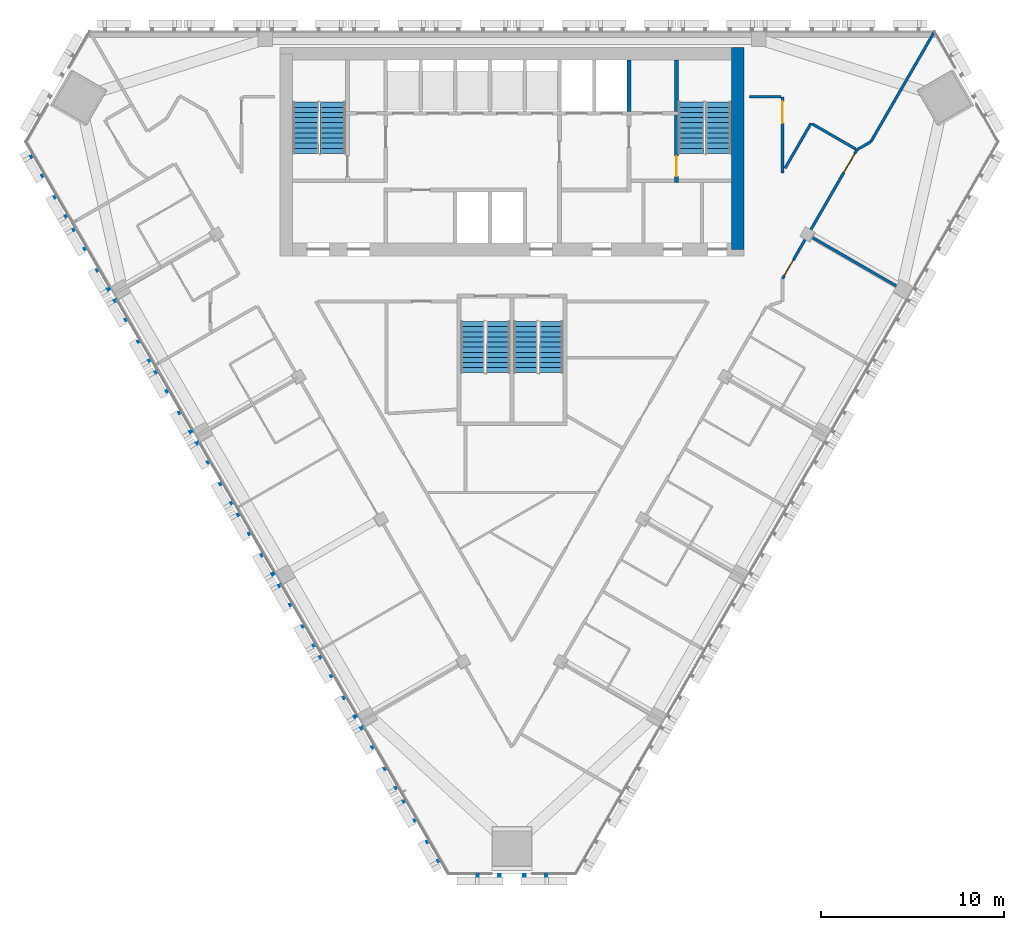
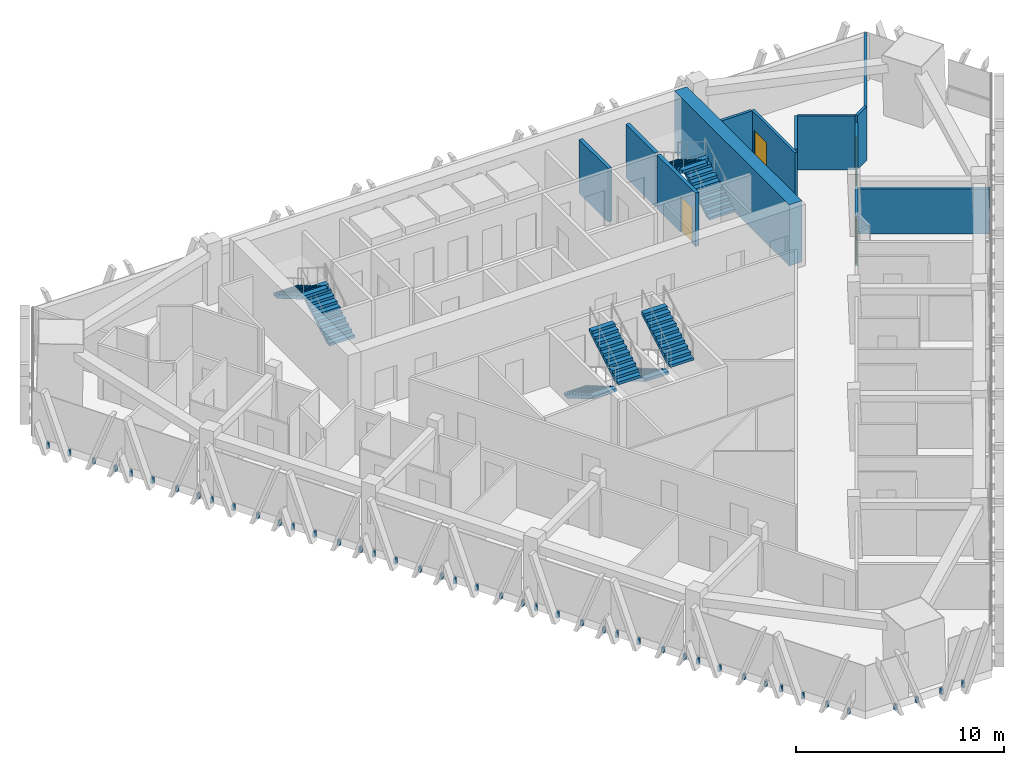
# One storey, part 12 of 16: 12 walls, 8 stair flights, 4 doors, 2 discrete accessories, 4 openings, 4 elements without a shape of their own.
"""IFC4 building model written with IfcOpenShell, lengths in metres."""

from ifc_helpers import new_model, si_unit, direction, frame, frame_2d, origin, place, context, subcontext, project, spatial, polyline, rectangle, outline, extrude, source, transform, mapped, material, layer, layer_set, type_object, element, fill, aggregate, save


model = new_model("IFC4")

# Units and contexts
model_context = context("Model", 3, precision=1e-05, world=origin(), true_north=direction((0.0, 1.0)))
body_context = subcontext(model_context, "Body", "Model", "MODEL_VIEW")
ifc_project = project(units=[si_unit("LENGTHUNIT", "METRE"), si_unit("AREAUNIT", "SQUARE_METRE"), si_unit("VOLUMEUNIT", "CUBIC_METRE"), si_unit("PLANEANGLEUNIT", "RADIAN"), si_unit("MASSUNIT", "GRAM", prefix="KILO")], contexts=[model_context])

# Site, building, storey
site_placement = place(None, origin())
site = spatial("IfcSite", under=ifc_project, at=site_placement, CompositionType="ELEMENT")
building_placement = place(site_placement, origin())
building = spatial("IfcBuilding", under=site, at=building_placement, Name="Altiplano Prism Tower", CompositionType="ELEMENT")
storey_placement = place(building_placement, frame((0.0, 0.0, 167.39990234375)))
storey = spatial("IfcBuildingStorey", under=building, at=storey_placement, Name="L43", CompositionType="ELEMENT", Elevation=167.39990234375)

# Wall
ifc_material_1 = material(Name="Concrete C60/75", Category="concrete")
ifc_layer_1 = layer(ifc_material_1, 0.699951171875)
ifc_layer_set_1 = layer_set([ifc_layer_1], Name="Concrete C60/75")
wall_type_1 = type_object("IfcWallType", Name="Core wall 700", PredefinedType="SHEAR", material=ifc_layer_set_1)
wall_1_placement = place(storey_placement, frame((97.35009765625, 93.050048828125, 0.0), z_axis=(0.0, 0.0, 1.0), x_axis=(0.0, 1.0, 0.0)))
element("IfcWall", 1, at=wall_1_placement, inside=storey, type_object=wall_type_1, Name="Core wall E L43", PredefinedType="SHEAR", context=body_context, shape_type="SweptSolid", body=[
    extrude(rectangle(XDim=11.050048828125, YDim=0.699951171875, at=frame_2d((5.52490234375, 0.0))), origin(), (0.0, 0.0, 1.0), 3.60009765625),
])

# Wall, openings, doors
ifc_material_2 = material(Name="Plasterboard on steel stud", Category="steel")
ifc_layer_2 = layer(ifc_material_2, 0.14990234375)
ifc_layer_set_2 = layer_set([ifc_layer_2], Name="Plasterboard on steel stud")
wall_type_2 = type_object("IfcWallType", Name="Partition 150 corridor", PredefinedType="PARTITIONING", material=ifc_layer_set_2)
wall_2_placement = place(storey_placement, frame((99.800048828125, 91.44091796875, 0.0), z_axis=(0.0, 0.0, 1.0), x_axis=(0.499988640288, 0.866031962218, 0.0)))
wall_2 = element("IfcWall", 2, at=wall_2_placement, inside=storey, type_object=wall_type_2, Name="Partition P06 L43 016", PredefinedType="PARTITIONING", context=body_context, shape_type="SweptSolid", body=[
    extrude(rectangle(XDim=8.151123046875, YDim=0.14990234375, at=frame_2d((4.07568359375, 0.0))), origin(), (0.0, 0.0, 1.0), 2.75),
])
opening_1_placement = place(wall_2_placement, frame((0.199951171875, 0.0, 0.0)))
opening_1 = element("IfcOpeningElement", 3, at=opening_1_placement, cuts=wall_2, Name="Opening D1536", PredefinedType="OPENING", context=body_context, shape_type="SweptSolid", body=[
    extrude(rectangle(XDim=1.0, YDim=2.10009765625, at=frame_2d((0.5, 1.050048828125))), frame((0.0, 0.08544921875, 0.0), z_axis=(0.0, -1.0, 0.0), x_axis=(1.0, 0.0, 0.0)), (0.0, 0.0, 1.0), 0.1708984375),
])
opening_2_placement = place(wall_2_placement, frame((6.7119140625, 0.0, 0.0)))
opening_2 = element("IfcOpeningElement", 4, at=opening_2_placement, cuts=wall_2, Name="Opening D1537", PredefinedType="OPENING", context=body_context, shape_type="SweptSolid", body=[
    extrude(rectangle(XDim=1.199951171875, YDim=2.10009765625, at=frame_2d((0.60009765625, 1.050048828125))), frame((0.0, 0.08544921875, 0.0), z_axis=(0.0, -1.0, 0.0), x_axis=(1.0, 0.0, 0.0)), (0.0, 0.0, 1.0), 0.1708984375),
])
ifc_material_3 = material(Name="Timber", Category="wood")
door_type_1 = type_object("IfcDoorType", Name="Room door 1000 x 2100", OperationType="NOTDEFINED", PredefinedType="NOTDEFINED", material=ifc_material_3)
door_1_placement = place(opening_1_placement, origin())
door_1 = element("IfcDoor", 5, at=door_1_placement, inside=storey, type_object=door_type_1, Name="Door D1536", OperationType="SINGLE_SWING_LEFT", OverallHeight=2.10009765625, OverallWidth=1.0, PredefinedType="NOTDEFINED", context=body_context, shape_type="SweptSolid", body=[
    extrude(rectangle(XDim=1.0, YDim=2.10009765625, at=frame_2d((0.5, 1.050048828125))), frame((0.0, 0.02490234375, 0.0), z_axis=(0.0, -1.0, 0.0), x_axis=(1.0, 0.0, 0.0)), (0.0, 0.0, 1.0), 0.050048828125),
])
fill(opening_1, door_1)
door_type_2 = type_object("IfcDoorType", Name="Shared room door 1200 x 2100", OperationType="NOTDEFINED", PredefinedType="NOTDEFINED", material=ifc_material_3)
door_2_placement = place(opening_2_placement, origin())
door_2 = element("IfcDoor", 6, at=door_2_placement, inside=storey, type_object=door_type_2, Name="Door D1537", OperationType="SINGLE_SWING_RIGHT", OverallHeight=2.10009765625, OverallWidth=1.199951171875, PredefinedType="NOTDEFINED", context=body_context, shape_type="SweptSolid", body=[
    extrude(rectangle(XDim=1.199951171875, YDim=2.10009765625, at=frame_2d((0.60009765625, 1.050048828125))), frame((0.0, 0.02490234375, 0.0), z_axis=(0.0, -1.0, 0.0), x_axis=(1.0, 0.0, 0.0)), (0.0, 0.0, 1.0), 0.050048828125),
])
fill(opening_2, door_2)

# Walls
wall_3_placement = place(storey_placement, frame((103.810546875, 98.53759765625, 0.0), z_axis=(0.0, 0.0, 1.0), x_axis=(-0.866027397988, 0.499996545922, 0.0)))
element("IfcWall", 7, at=wall_3_placement, inside=storey, type_object=wall_type_2, Name="Partition P06 L43 017", PredefinedType="PARTITIONING", context=body_context, shape_type="SweptSolid", body=[
    extrude(rectangle(XDim=2.75, YDim=0.14990234375, at=frame_2d((1.375, 0.0))), origin(), (0.0, 0.0, 1.0), 3.150146484375),
])
wall_4_placement = place(storey_placement, frame((101.364013671875, 99.949951171875, 0.0), z_axis=(0.0, 0.0, 1.0), x_axis=(-0.500001943499, -0.866024281702, 0.0)))
element("IfcWall", 8, at=wall_4_placement, inside=storey, type_object=wall_type_2, Name="Partition P06 L43 018", PredefinedType="PARTITIONING", context=body_context, shape_type="SweptSolid", body=[
    extrude(rectangle(XDim=2.84814453125, YDim=0.14990234375, at=frame_2d((1.424072265625, 0.0))), origin(), (0.0, 0.0, 1.0), 3.150146484375),
])

# Wall, opening, door
wall_5_placement = place(storey_placement, frame((99.800048828125, 97.240966796875, 0.0), z_axis=(0.0, 0.0, 1.0), x_axis=(0.0, 1.0, 0.0)))
wall_5 = element("IfcWall", 9, at=wall_5_placement, inside=storey, type_object=wall_type_2, Name="Partition P06 L43 019", PredefinedType="PARTITIONING", context=body_context, shape_type="SweptSolid", body=[
    extrude(rectangle(XDim=4.158935546875, YDim=0.14990234375, at=frame_2d((2.07958984375, 0.0))), origin(), (0.0, 0.0, 1.0), 3.150146484375),
])
opening_3_placement = place(wall_5_placement, frame((2.712890625, 0.0, 0.0)))
opening_3 = element("IfcOpeningElement", 10, at=opening_3_placement, cuts=wall_5, Name="Opening D1538", PredefinedType="OPENING", context=body_context, shape_type="SweptSolid", body=[
    extrude(rectangle(XDim=1.199951171875, YDim=2.10009765625, at=frame_2d((0.60009765625, 1.050048828125))), frame((0.0, 0.08544921875, 0.0), z_axis=(0.0, -1.0, 0.0), x_axis=(1.0, 0.0, 0.0)), (0.0, 0.0, 1.0), 0.1708984375),
])
door_3_placement = place(opening_3_placement, origin())
door_3 = element("IfcDoor", 11, at=door_3_placement, inside=storey, type_object=door_type_2, Name="Door D1538", OperationType="SINGLE_SWING_LEFT", OverallHeight=2.10009765625, OverallWidth=1.199951171875, PredefinedType="NOTDEFINED", context=body_context, shape_type="SweptSolid", body=[
    extrude(rectangle(XDim=1.199951171875, YDim=2.10009765625, at=frame_2d((0.60009765625, 1.050048828125))), frame((0.0, 0.02490234375, 0.0), z_axis=(0.0, -1.0, 0.0), x_axis=(1.0, 0.0, 0.0)), (0.0, 0.0, 1.0), 0.050048828125),
])
fill(opening_3, door_3)

# Walls
wall_6_placement = place(storey_placement, frame((99.72509765625, 101.39990234375, 0.0), z_axis=(0.0, 0.0, 1.0), x_axis=(-1.0, 0.0, 0.0)))
element("IfcWall", 12, at=wall_6_placement, inside=storey, type_object=wall_type_2, Name="Partition P06 L43 020", PredefinedType="PARTITIONING", context=body_context, shape_type="SweptSolid", body=[
    extrude(rectangle(XDim=1.72509765625, YDim=0.14990234375, at=frame_2d((0.862548828125, 0.0))), origin(), (0.0, 0.0, 1.0), 3.150146484375),
])
ifc_layer_3 = layer(ifc_material_2, 0.14990234375)
ifc_layer_set_3 = layer_set([ifc_layer_3], Name="Plasterboard on steel stud")
wall_type_3 = type_object("IfcWallType", Name="Partition 150 party", PredefinedType="PARTITIONING", material=ifc_layer_set_3)
wall_7_placement = place(storey_placement, frame((106.730224609375, 90.64453125, 0.0), z_axis=(0.0, 0.0, 1.0), x_axis=(-0.866015887322, 0.500016482634, 0.0)))
element("IfcWall", 13, at=wall_7_placement, inside=storey, type_object=wall_type_3, Name="Partition P01 L43 074", PredefinedType="PARTITIONING", context=body_context, shape_type="SweptSolid", body=[
    extrude(rectangle(XDim=6.324951171875, YDim=0.14990234375, at=frame_2d((3.16259765625, 0.0))), origin(), (0.0, 0.0, 1.0), 2.650146484375),
])
wall_8_placement = place(storey_placement, frame((108.077880859375, 104.89990234375, 0.0), z_axis=(0.0, 0.0, 1.0), x_axis=(-0.499988574038, -0.866032000466, 0.0)))
element("IfcWall", 14, at=wall_8_placement, inside=storey, type_object=wall_type_3, Name="Partition P01 L43 075", PredefinedType="PARTITIONING", context=body_context, shape_type="SweptSolid", body=[
    extrude(rectangle(XDim=6.882568359375, YDim=0.14990234375, at=frame_2d((3.44140625, 0.0))), origin(), (0.0, 0.0, 1.0), 2.650146484375),
])
wall_9_placement = place(storey_placement, frame((104.63671875, 98.939453125, 0.0), z_axis=(0.0, 0.0, 1.0), x_axis=(-0.866046828231, -0.499962889934, 0.0)))
element("IfcWall", 15, at=wall_9_placement, inside=storey, type_object=wall_type_3, Name="Partition P01 L43 076", PredefinedType="PARTITIONING", context=body_context, shape_type="SweptSolid", body=[
    extrude(rectangle(XDim=0.87890625, YDim=0.14990234375, at=frame_2d((0.439453125, 0.0))), origin(), (0.0, 0.0, 1.0), 3.150146484375),
])
ifc_layer_4 = layer(ifc_material_1, 0.199951171875)
ifc_layer_set_4 = layer_set([ifc_layer_4], Name="Concrete C60/75")
wall_type_4 = type_object("IfcWallType", Name="Shaft wall 200", PredefinedType="SOLIDWALL", material=ifc_layer_set_4)
wall_10_placement = place(storey_placement, frame((91.39990234375, 100.60009765625, 0.0), z_axis=(0.0, 0.0, 1.0), x_axis=(0.0, 1.0, 0.0)))
element("IfcWall", 16, at=wall_10_placement, inside=storey, type_object=wall_type_4, Name="Shaft wall L43", PredefinedType="SOLIDWALL", context=body_context, shape_type="SweptSolid", body=[
    extrude(rectangle(XDim=2.7998046875, YDim=0.199951171875, at=frame_2d((1.39990234375, 0.0))), origin(), (0.0, 0.0, 1.0), 3.150146484375),
])

# Wall, opening, door
ifc_layer_5 = layer(ifc_material_1, 0.199951171875)
ifc_layer_set_5 = layer_set([ifc_layer_5], Name="Concrete C60/75")
wall_type_5 = type_object("IfcWallType", Name="Stair wall 200", PredefinedType="SOLIDWALL", material=ifc_layer_set_5)
wall_11_placement = place(storey_placement, frame((94.0, 96.699951171875, 0.0), z_axis=(0.0, 0.0, 1.0), x_axis=(0.0, 1.0, 0.0)))
wall_11 = element("IfcWall", 17, at=wall_11_placement, inside=storey, type_object=wall_type_5, Name="Stair wall L43", PredefinedType="SOLIDWALL", context=body_context, shape_type="SweptSolid", body=[
    extrude(rectangle(XDim=3.699951171875, YDim=0.199951171875, at=frame_2d((1.85009765625, 0.0))), origin(), (0.0, 0.0, 1.0), 3.150146484375),
])
opening_4_placement = place(wall_11_placement, frame((0.35009765625, 0.0, 0.0)))
opening_4 = element("IfcOpeningElement", 18, at=opening_4_placement, cuts=wall_11, Name="Opening D3169", PredefinedType="OPENING", context=body_context, shape_type="SweptSolid", body=[
    extrude(rectangle(XDim=1.10009765625, YDim=2.10009765625, at=frame_2d((0.550048828125, 1.050048828125))), frame((0.0, 0.1103515625, 0.0), z_axis=(0.0, -1.0, 0.0), x_axis=(1.0, 0.0, 0.0)), (0.0, 0.0, 1.0), 0.220947265625),
])
ifc_material_4 = material(Name="Fire-rated steel door", Category="steel")
door_type_3 = type_object("IfcDoorType", Name="Stair fire door 1100 x 2100", OperationType="NOTDEFINED", PredefinedType="NOTDEFINED", material=ifc_material_4)
door_4_placement = place(opening_4_placement, origin())
door_4 = element("IfcDoor", 19, at=door_4_placement, inside=storey, type_object=door_type_3, Name="Stair fire door D3169", OperationType="SINGLE_SWING_LEFT", OverallHeight=2.10009765625, OverallWidth=1.10009765625, PredefinedType="NOTDEFINED", context=body_context, shape_type="SweptSolid", body=[
    extrude(rectangle(XDim=1.10009765625, YDim=2.10009765625, at=frame_2d((0.550048828125, 1.050048828125))), frame((0.0, 0.02490234375, 0.0), z_axis=(0.0, -1.0, 0.0), x_axis=(1.0, 0.0, 0.0)), (0.0, 0.0, 1.0), 0.050048828125),
])
fill(opening_4, door_4)

# Wall
wall_12_placement = place(storey_placement, frame((94.0, 100.60009765625, 0.0), z_axis=(0.0, 0.0, 1.0), x_axis=(0.0, 1.0, 0.0)))
element("IfcWall", 20, at=wall_12_placement, inside=storey, type_object=wall_type_5, Name="Stair wall L43", PredefinedType="SOLIDWALL", context=body_context, shape_type="SweptSolid", body=[
    extrude(rectangle(XDim=2.7998046875, YDim=0.199951171875, at=frame_2d((1.39990234375, 0.0))), origin(), (0.0, 0.0, 1.0), 3.150146484375),
])

# Stair, stair flights
ifc_material_5 = material(Name="Concrete C40/50", Category="concrete")
stair_type_1 = type_object("IfcStairType", Name="Exit stair 1400", PredefinedType="HALF_TURN_STAIR", material=ifc_material_5)
stair_1_placement = place(storey_placement, origin())
stair_1 = element("IfcStair", 21, at=stair_1_placement, inside=storey, type_object=stair_type_1, Name="L43 Exit Stair 1", PredefinedType="HALF_TURN_STAIR")
stair_flight_type = type_object("IfcStairFlightType", Name="Stair flight concrete 150", PredefinedType="STRAIGHT", material=ifc_material_5)
stair_flight_1_placement = place(storey_placement, frame((75.199951171875, 98.300048828125, 0.0), z_axis=(0.0, 0.0, 1.0), x_axis=(0.0, 1.0, 0.0)))
stair_flight_1 = element("IfcStairFlight", 22, at=stair_flight_1_placement, type_object=stair_flight_type, Name="ST1 flight 1", NumberOfRisers=11, NumberOfTreads=10, PredefinedType="STRAIGHT", RiserHeight=0.163636364, TreadLength=0.28, context=body_context, shape_type="SweptSolid", body=[
    extrude(outline(polyline([(0.0, 0.0), (0.0, 0.16357421875), (0.280029296875, 0.16357421875), (0.280029296875, 0.327392578125), (0.56005859375, 0.327392578125), (0.56005859375, 0.490966796875), (0.840087890625, 0.490966796875), (0.840087890625, 0.654541015625), (1.1201171875, 0.654541015625), (1.1201171875, 0.818115234375), (1.39990234375, 0.818115234375), (1.39990234375, 0.98193359375), (1.679931640625, 0.98193359375), (1.679931640625, 1.1455078125), (1.9599609375, 1.1455078125), (1.9599609375, 1.30908203125), (2.239990234375, 1.30908203125), (2.239990234375, 1.47265625), (2.52001953125, 1.47265625), (2.52001953125, 1.636474609375), (2.800048828125, 1.636474609375), (2.800048828125, 1.800048828125), (2.800048828125, 1.462646484375), (0.297119140625, 0.0), (0.0, 0.0)])), frame((0.0, 0.699951171875, 0.0), z_axis=(0.0, -1.0, 0.0), x_axis=(1.0, 0.0, 0.0)), (0.0, 0.0, 1.0), 1.39990234375),
])
stair_flight_2_placement = place(storey_placement, frame((73.699951171875, 101.10009765625, 1.800048828125), z_axis=(0.0, 0.0, 1.0), x_axis=(0.0, -1.0, 0.0)))
stair_flight_2 = element("IfcStairFlight", 23, at=stair_flight_2_placement, type_object=stair_flight_type, Name="ST1 flight 2", NumberOfRisers=11, NumberOfTreads=10, PredefinedType="STRAIGHT", RiserHeight=0.163636364, TreadLength=0.28, context=body_context, shape_type="SweptSolid", body=[
    extrude(outline(polyline([(0.0, 0.0), (0.0, 0.16357421875), (0.280029296875, 0.16357421875), (0.280029296875, 0.327392578125), (0.56005859375, 0.327392578125), (0.56005859375, 0.490966796875), (0.840087890625, 0.490966796875), (0.840087890625, 0.654541015625), (1.1201171875, 0.654541015625), (1.1201171875, 0.818115234375), (1.39990234375, 0.818115234375), (1.39990234375, 0.98193359375), (1.679931640625, 0.98193359375), (1.679931640625, 1.1455078125), (1.9599609375, 1.1455078125), (1.9599609375, 1.30908203125), (2.239990234375, 1.30908203125), (2.239990234375, 1.47265625), (2.52001953125, 1.47265625), (2.52001953125, 1.636474609375), (2.800048828125, 1.636474609375), (2.800048828125, 1.800048828125), (2.800048828125, 1.462646484375), (0.297119140625, 0.0), (0.0, 0.0)])), frame((0.0, 0.699951171875, 0.0), z_axis=(0.0, -1.0, 0.0), x_axis=(1.0, 0.0, 0.0)), (0.0, 0.0, 1.0), 1.39990234375),
])
aggregate(stair_1, [stair_flight_1, stair_flight_2])

stair_2_placement = place(storey_placement, origin())
stair_2 = element("IfcStair", 24, at=stair_2_placement, inside=storey, type_object=stair_type_1, Name="L43 Exit Stair 2", PredefinedType="HALF_TURN_STAIR")
stair_flight_3_placement = place(storey_placement, frame((96.300048828125, 98.300048828125, 0.0), z_axis=(0.0, 0.0, 1.0), x_axis=(0.0, 1.0, 0.0)))
stair_flight_3 = element("IfcStairFlight", 25, at=stair_flight_3_placement, type_object=stair_flight_type, Name="ST2 flight 1", NumberOfRisers=11, NumberOfTreads=10, PredefinedType="STRAIGHT", RiserHeight=0.163636364, TreadLength=0.28, context=body_context, shape_type="SweptSolid", body=[
    extrude(outline(polyline([(0.0, 0.0), (0.0, 0.16357421875), (0.280029296875, 0.16357421875), (0.280029296875, 0.327392578125), (0.56005859375, 0.327392578125), (0.56005859375, 0.490966796875), (0.840087890625, 0.490966796875), (0.840087890625, 0.654541015625), (1.1201171875, 0.654541015625), (1.1201171875, 0.818115234375), (1.39990234375, 0.818115234375), (1.39990234375, 0.98193359375), (1.679931640625, 0.98193359375), (1.679931640625, 1.1455078125), (1.9599609375, 1.1455078125), (1.9599609375, 1.30908203125), (2.239990234375, 1.30908203125), (2.239990234375, 1.47265625), (2.52001953125, 1.47265625), (2.52001953125, 1.636474609375), (2.800048828125, 1.636474609375), (2.800048828125, 1.800048828125), (2.800048828125, 1.462646484375), (0.297119140625, 0.0), (0.0, 0.0)])), frame((0.0, 0.699951171875, 0.0), z_axis=(0.0, -1.0, 0.0), x_axis=(1.0, 0.0, 0.0)), (0.0, 0.0, 1.0), 1.39990234375),
])
stair_flight_4_placement = place(storey_placement, frame((94.800048828125, 101.10009765625, 1.800048828125), z_axis=(0.0, 0.0, 1.0), x_axis=(0.0, -1.0, 0.0)))
stair_flight_4 = element("IfcStairFlight", 26, at=stair_flight_4_placement, type_object=stair_flight_type, Name="ST2 flight 2", NumberOfRisers=11, NumberOfTreads=10, PredefinedType="STRAIGHT", RiserHeight=0.163636364, TreadLength=0.28, context=body_context, shape_type="SweptSolid", body=[
    extrude(outline(polyline([(0.0, 0.0), (0.0, 0.16357421875), (0.280029296875, 0.16357421875), (0.280029296875, 0.327392578125), (0.56005859375, 0.327392578125), (0.56005859375, 0.490966796875), (0.840087890625, 0.490966796875), (0.840087890625, 0.654541015625), (1.1201171875, 0.654541015625), (1.1201171875, 0.818115234375), (1.39990234375, 0.818115234375), (1.39990234375, 0.98193359375), (1.679931640625, 0.98193359375), (1.679931640625, 1.1455078125), (1.9599609375, 1.1455078125), (1.9599609375, 1.30908203125), (2.239990234375, 1.30908203125), (2.239990234375, 1.47265625), (2.52001953125, 1.47265625), (2.52001953125, 1.636474609375), (2.800048828125, 1.636474609375), (2.800048828125, 1.800048828125), (2.800048828125, 1.462646484375), (0.297119140625, 0.0), (0.0, 0.0)])), frame((0.0, 0.699951171875, 0.0), z_axis=(0.0, -1.0, 0.0), x_axis=(1.0, 0.0, 0.0)), (0.0, 0.0, 1.0), 1.39990234375),
])
aggregate(stair_2, [stair_flight_3, stair_flight_4])

stair_type_2 = type_object("IfcStairType", Name="Exit stair 1300", PredefinedType="HALF_TURN_STAIR", material=ifc_material_5)
stair_3_placement = place(storey_placement, origin())
stair_3 = element("IfcStair", 27, at=stair_3_placement, inside=storey, type_object=stair_type_2, Name="L43 Exit Stair 3A", PredefinedType="HALF_TURN_STAIR")
stair_flight_5_placement = place(storey_placement, frame((82.85009765625, 89.10009765625, 0.0), z_axis=(0.0, 0.0, 1.0), x_axis=(0.0, -1.0, 0.0)))
stair_flight_5 = element("IfcStairFlight", 28, at=stair_flight_5_placement, type_object=stair_flight_type, Name="ST3A flight 1", NumberOfRisers=11, NumberOfTreads=10, PredefinedType="STRAIGHT", RiserHeight=0.163636364, TreadLength=0.28, context=body_context, shape_type="SweptSolid", body=[
    extrude(outline(polyline([(0.0, 0.0), (0.0, 0.16357421875), (0.280029296875, 0.16357421875), (0.280029296875, 0.327392578125), (0.56005859375, 0.327392578125), (0.56005859375, 0.490966796875), (0.840087890625, 0.490966796875), (0.840087890625, 0.654541015625), (1.1201171875, 0.654541015625), (1.1201171875, 0.818115234375), (1.39990234375, 0.818115234375), (1.39990234375, 0.98193359375), (1.679931640625, 0.98193359375), (1.679931640625, 1.1455078125), (1.9599609375, 1.1455078125), (1.9599609375, 1.30908203125), (2.239990234375, 1.30908203125), (2.239990234375, 1.47265625), (2.52001953125, 1.47265625), (2.52001953125, 1.636474609375), (2.800048828125, 1.636474609375), (2.800048828125, 1.800048828125), (2.800048828125, 1.462646484375), (0.297119140625, 0.0), (0.0, 0.0)])), frame((0.0, 0.64990234375, 0.0), z_axis=(0.0, -1.0, 0.0), x_axis=(1.0, 0.0, 0.0)), (0.0, 0.0, 1.0), 1.300048828125),
])
stair_flight_6_placement = place(storey_placement, frame((84.25, 86.300048828125, 1.800048828125), z_axis=(0.0, 0.0, 1.0), x_axis=(0.0, 1.0, 0.0)))
stair_flight_6 = element("IfcStairFlight", 29, at=stair_flight_6_placement, type_object=stair_flight_type, Name="ST3A flight 2", NumberOfRisers=11, NumberOfTreads=10, PredefinedType="STRAIGHT", RiserHeight=0.163636364, TreadLength=0.28, context=body_context, shape_type="SweptSolid", body=[
    extrude(outline(polyline([(0.0, 0.0), (0.0, 0.16357421875), (0.280029296875, 0.16357421875), (0.280029296875, 0.327392578125), (0.56005859375, 0.327392578125), (0.56005859375, 0.490966796875), (0.840087890625, 0.490966796875), (0.840087890625, 0.654541015625), (1.1201171875, 0.654541015625), (1.1201171875, 0.818115234375), (1.39990234375, 0.818115234375), (1.39990234375, 0.98193359375), (1.679931640625, 0.98193359375), (1.679931640625, 1.1455078125), (1.9599609375, 1.1455078125), (1.9599609375, 1.30908203125), (2.239990234375, 1.30908203125), (2.239990234375, 1.47265625), (2.52001953125, 1.47265625), (2.52001953125, 1.636474609375), (2.800048828125, 1.636474609375), (2.800048828125, 1.800048828125), (2.800048828125, 1.462646484375), (0.297119140625, 0.0), (0.0, 0.0)])), frame((0.0, 0.64990234375, 0.0), z_axis=(0.0, -1.0, 0.0), x_axis=(1.0, 0.0, 0.0)), (0.0, 0.0, 1.0), 1.300048828125),
])
aggregate(stair_3, [stair_flight_5, stair_flight_6])

stair_4_placement = place(storey_placement, origin())
stair_4 = element("IfcStair", 30, at=stair_4_placement, inside=storey, type_object=stair_type_2, Name="L43 Exit Stair 3B", PredefinedType="HALF_TURN_STAIR")
stair_flight_7_placement = place(storey_placement, frame((85.75, 89.10009765625, 0.0), z_axis=(0.0, 0.0, 1.0), x_axis=(0.0, -1.0, 0.0)))
stair_flight_7 = element("IfcStairFlight", 31, at=stair_flight_7_placement, type_object=stair_flight_type, Name="ST3B flight 1", NumberOfRisers=11, NumberOfTreads=10, PredefinedType="STRAIGHT", RiserHeight=0.163636364, TreadLength=0.28, context=body_context, shape_type="SweptSolid", body=[
    extrude(outline(polyline([(0.0, 0.0), (0.0, 0.16357421875), (0.280029296875, 0.16357421875), (0.280029296875, 0.327392578125), (0.56005859375, 0.327392578125), (0.56005859375, 0.490966796875), (0.840087890625, 0.490966796875), (0.840087890625, 0.654541015625), (1.1201171875, 0.654541015625), (1.1201171875, 0.818115234375), (1.39990234375, 0.818115234375), (1.39990234375, 0.98193359375), (1.679931640625, 0.98193359375), (1.679931640625, 1.1455078125), (1.9599609375, 1.1455078125), (1.9599609375, 1.30908203125), (2.239990234375, 1.30908203125), (2.239990234375, 1.47265625), (2.52001953125, 1.47265625), (2.52001953125, 1.636474609375), (2.800048828125, 1.636474609375), (2.800048828125, 1.800048828125), (2.800048828125, 1.462646484375), (0.297119140625, 0.0), (0.0, 0.0)])), frame((0.0, 0.64990234375, 0.0), z_axis=(0.0, -1.0, 0.0), x_axis=(1.0, 0.0, 0.0)), (0.0, 0.0, 1.0), 1.300048828125),
])
stair_flight_8_placement = place(storey_placement, frame((87.14990234375, 86.300048828125, 1.800048828125), z_axis=(0.0, 0.0, 1.0), x_axis=(0.0, 1.0, 0.0)))
stair_flight_8 = element("IfcStairFlight", 32, at=stair_flight_8_placement, type_object=stair_flight_type, Name="ST3B flight 2", NumberOfRisers=11, NumberOfTreads=10, PredefinedType="STRAIGHT", RiserHeight=0.163636364, TreadLength=0.28, context=body_context, shape_type="SweptSolid", body=[
    extrude(outline(polyline([(0.0, 0.0), (0.0, 0.16357421875), (0.280029296875, 0.16357421875), (0.280029296875, 0.327392578125), (0.56005859375, 0.327392578125), (0.56005859375, 0.490966796875), (0.840087890625, 0.490966796875), (0.840087890625, 0.654541015625), (1.1201171875, 0.654541015625), (1.1201171875, 0.818115234375), (1.39990234375, 0.818115234375), (1.39990234375, 0.98193359375), (1.679931640625, 0.98193359375), (1.679931640625, 1.1455078125), (1.9599609375, 1.1455078125), (1.9599609375, 1.30908203125), (2.239990234375, 1.30908203125), (2.239990234375, 1.47265625), (2.52001953125, 1.47265625), (2.52001953125, 1.636474609375), (2.800048828125, 1.636474609375), (2.800048828125, 1.800048828125), (2.800048828125, 1.462646484375), (0.297119140625, 0.0), (0.0, 0.0)])), frame((0.0, 0.64990234375, 0.0), z_axis=(0.0, -1.0, 0.0), x_axis=(1.0, 0.0, 0.0)), (0.0, 0.0, 1.0), 1.300048828125),
])
aggregate(stair_4, [stair_flight_7, stair_flight_8])

# Discrete accessories
ifc_material_6 = material(Name="Stainless steel", Category="steel")
discrete_accessory_type = type_object("IfcDiscreteAccessoryType", Name="Stone fin fixing prongs", PredefinedType="USERDEFINED", material=ifc_material_6)
shared_shape_1 = source(origin(), body_context, "Body", "SweptSolid", [
    extrude(outline(polyline([(-1.94189453125, 0.06005859375), (-1.822021484375, 0.06005859375), (-1.822021484375, 0.389892578125), (-1.94189453125, 0.389892578125), (-1.94189453125, 0.06005859375)])), frame((0.0, 0.0, 0.0), z_axis=(0.0, -1.0, 0.0), x_axis=(1.0, 0.0, 0.0)), (0.0, 0.0, 1.0), 0.14990234375),
    extrude(outline(polyline([(-0.741943359375, 0.06005859375), (-0.621826171875, 0.06005859375), (-0.621826171875, 0.389892578125), (-0.741943359375, 0.389892578125), (-0.741943359375, 0.06005859375)])), frame((0.0, 0.0, 0.0), z_axis=(0.0, -1.0, 0.0), x_axis=(1.0, 0.0, 0.0)), (0.0, 0.0, 1.0), 0.14990234375),
    extrude(outline(polyline([(0.621826171875, 0.06005859375), (0.741943359375, 0.06005859375), (0.741943359375, 0.389892578125), (0.621826171875, 0.389892578125), (0.621826171875, 0.06005859375)])), frame((0.0, 0.0, 0.0), z_axis=(0.0, -1.0, 0.0), x_axis=(1.0, 0.0, 0.0)), (0.0, 0.0, 1.0), 0.14990234375),
    extrude(outline(polyline([(1.822021484375, 0.06005859375), (1.94189453125, 0.06005859375), (1.94189453125, 0.389892578125), (1.822021484375, 0.389892578125), (1.822021484375, 0.06005859375)])), frame((0.0, 0.0, 0.0), z_axis=(0.0, -1.0, 0.0), x_axis=(1.0, 0.0, 0.0)), (0.0, 0.0, 1.0), 0.14990234375),
])
shared_shape_2 = source(origin(), body_context, "Body", "SweptSolid", [
    extrude(outline(polyline([(-1.94189453125, 0.06005859375), (-1.822021484375, 0.06005859375), (-1.822021484375, 0.389892578125), (-1.94189453125, 0.389892578125), (-1.94189453125, 0.06005859375)])), frame((0.0, 0.0, 0.0), z_axis=(0.0, -1.0, 0.0), x_axis=(1.0, 0.0, 0.0)), (0.0, 0.0, 1.0), 0.14990234375),
    extrude(outline(polyline([(-0.741943359375, 0.06005859375), (-0.621826171875, 0.06005859375), (-0.621826171875, 0.389892578125), (-0.741943359375, 0.389892578125), (-0.741943359375, 0.06005859375)])), frame((0.0, 0.0, 0.0), z_axis=(0.0, -1.0, 0.0), x_axis=(1.0, 0.0, 0.0)), (0.0, 0.0, 1.0), 0.14990234375),
    extrude(outline(polyline([(0.621826171875, 0.06005859375), (0.741943359375, 0.06005859375), (0.741943359375, 0.389892578125), (0.621826171875, 0.389892578125), (0.621826171875, 0.06005859375)])), frame((0.0, 0.0, 0.0), z_axis=(0.0, -1.0, 0.0), x_axis=(1.0, 0.0, 0.0)), (0.0, 0.0, 1.0), 0.14990234375),
    extrude(outline(polyline([(1.822021484375, 0.06005859375), (1.94189453125, 0.06005859375), (1.94189453125, 0.389892578125), (1.822021484375, 0.389892578125), (1.822021484375, 0.06005859375)])), frame((0.0, 0.0, 0.0), z_axis=(0.0, -1.0, 0.0), x_axis=(1.0, 0.0, 0.0)), (0.0, 0.0, 1.0), 0.14990234375),
])
discrete_accessory_1_placement = place(storey_placement, origin())
element("IfcDiscreteAccessory", 33, at=discrete_accessory_1_placement, inside=storey, type_object=discrete_accessory_type, Name="Fin fixings L43 south-west face", ObjectType="BRACKET", PredefinedType="USERDEFINED", context=body_context, shape_type="MappedRepresentation", body=[
    mapped(shared_shape_1, transform((59.7490234375, 96.54248046875, -0.449951171875), x_axis=(0.499999990992, -0.866025408985, 0.0), y_axis=(0.866025408985, 0.499999990992, 0.0), z_axis=(0.0, 0.0, 1.0))),
    mapped(shared_shape_2, transform((62.05810546875, 92.543212890625, -0.449951171875), x_axis=(0.499999990992, -0.866025408985, 0.0), y_axis=(0.866025408985, 0.499999990992, 0.0), z_axis=(0.0, 0.0, 1.0))),
    mapped(shared_shape_2, transform((64.30810546875, 88.64599609375, -0.449951171875), x_axis=(0.499999990992, -0.866025408985, 0.0), y_axis=(0.866025408985, 0.499999990992, 0.0), z_axis=(0.0, 0.0, 1.0))),
    mapped(shared_shape_2, transform((66.55810546875, 84.7490234375, -0.449951171875), x_axis=(0.499999990992, -0.866025408985, 0.0), y_axis=(0.866025408985, 0.499999990992, 0.0), z_axis=(0.0, 0.0, 1.0))),
    mapped(shared_shape_2, transform((68.80810546875, 80.851806640625, -0.449951171875), x_axis=(0.499999990992, -0.866025408985, 0.0), y_axis=(0.866025408985, 0.499999990992, 0.0), z_axis=(0.0, 0.0, 1.0))),
    mapped(shared_shape_2, transform((71.05810546875, 76.954833984375, -0.449951171875), x_axis=(0.499999990992, -0.866025408985, 0.0), y_axis=(0.866025408985, 0.499999990992, 0.0), z_axis=(0.0, 0.0, 1.0))),
    mapped(shared_shape_2, transform((73.30810546875, 73.0576171875, -0.449951171875), x_axis=(0.499999990992, -0.866025408985, 0.0), y_axis=(0.866025408985, 0.499999990992, 0.0), z_axis=(0.0, 0.0, 1.0))),
    mapped(shared_shape_2, transform((75.55810546875, 69.160400390625, -0.449951171875), x_axis=(0.499999990992, -0.866025408985, 0.0), y_axis=(0.866025408985, 0.499999990992, 0.0), z_axis=(0.0, 0.0, 1.0))),
    mapped(shared_shape_2, transform((77.80810546875, 65.263427734375, -0.449951171875), x_axis=(0.499999990992, -0.866025408985, 0.0), y_axis=(0.866025408985, 0.499999990992, 0.0), z_axis=(0.0, 0.0, 1.0))),
    mapped(shared_shape_1, transform((80.116943359375, 61.26416015625, -0.449951171875), x_axis=(0.499999990992, -0.866025408985, 0.0), y_axis=(0.866025408985, 0.499999990992, 0.0), z_axis=(0.0, 0.0, 1.0))),
])
shared_shape_3 = source(origin(), body_context, "Body", "SweptSolid", [
    extrude(outline(polyline([(-1.94189453125, 0.06005859375), (-1.822021484375, 0.06005859375), (-1.822021484375, 0.389892578125), (-1.94189453125, 0.389892578125), (-1.94189453125, 0.06005859375)])), frame((0.0, 0.0, 0.0), z_axis=(0.0, -1.0, 0.0), x_axis=(1.0, 0.0, 0.0)), (0.0, 0.0, 1.0), 0.14990234375),
    extrude(outline(polyline([(-0.741943359375, 0.06005859375), (-0.621826171875, 0.06005859375), (-0.621826171875, 0.389892578125), (-0.741943359375, 0.389892578125), (-0.741943359375, 0.06005859375)])), frame((0.0, 0.0, 0.0), z_axis=(0.0, -1.0, 0.0), x_axis=(1.0, 0.0, 0.0)), (0.0, 0.0, 1.0), 0.14990234375),
    extrude(outline(polyline([(0.621826171875, 0.06005859375), (0.741943359375, 0.06005859375), (0.741943359375, 0.389892578125), (0.621826171875, 0.389892578125), (0.621826171875, 0.06005859375)])), frame((0.0, 0.0, 0.0), z_axis=(0.0, -1.0, 0.0), x_axis=(1.0, 0.0, 0.0)), (0.0, 0.0, 1.0), 0.14990234375),
    extrude(outline(polyline([(1.822021484375, 0.06005859375), (1.94189453125, 0.06005859375), (1.94189453125, 0.389892578125), (1.822021484375, 0.389892578125), (1.822021484375, 0.06005859375)])), frame((0.0, 0.0, 0.0), z_axis=(0.0, -1.0, 0.0), x_axis=(1.0, 0.0, 0.0)), (0.0, 0.0, 1.0), 0.14990234375),
])
discrete_accessory_2_placement = place(storey_placement, origin())
element("IfcDiscreteAccessory", 34, at=discrete_accessory_2_placement, inside=storey, type_object=discrete_accessory_type, Name="Fin fixings L43 south chamfer", ObjectType="BRACKET", PredefinedType="USERDEFINED", context=body_context, shape_type="MappedRepresentation", body=[
    mapped(shared_shape_3, transform((85.0, 58.8671875, -0.449951171875), x_axis=(1.0, 0.0, 0.0), y_axis=(0.0, 1.0, 0.0), z_axis=(0.0, 0.0, 1.0))),
])

save(model, "model.ifc")
